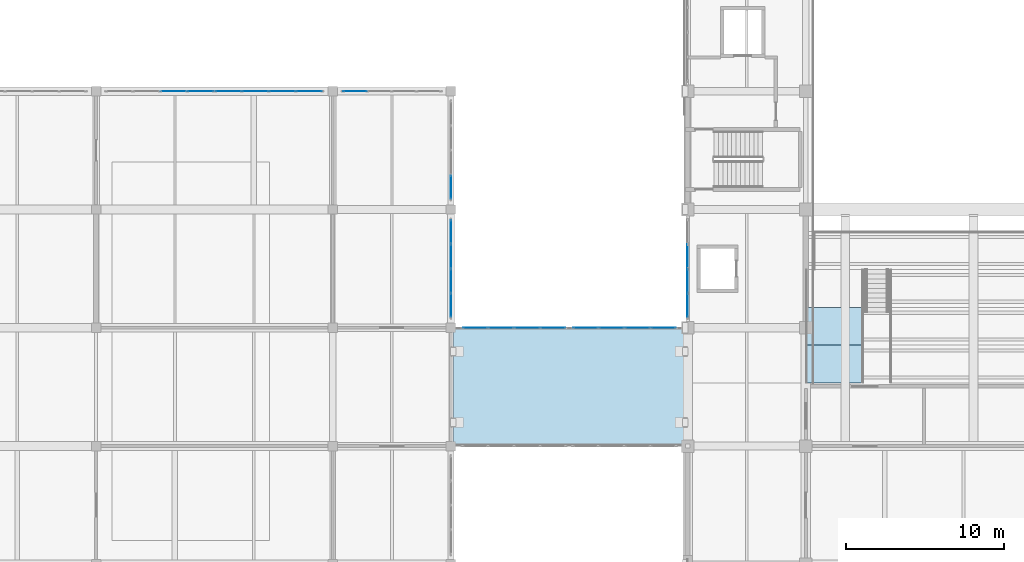
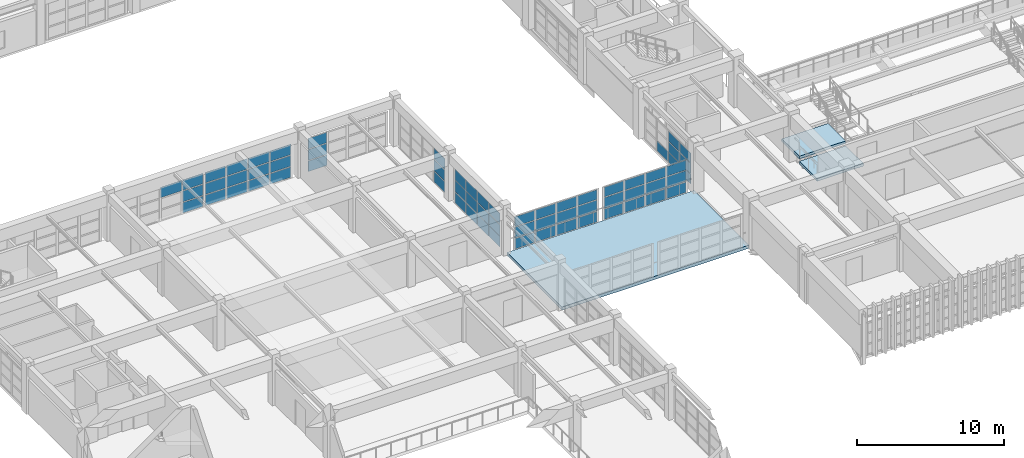
# One storey, part 79 of 124: 65 plates, 3 slabs, 8 elements without a shape of their own.
"""IFC4 building model written with IfcOpenShell, lengths in metres."""

from ifc_helpers import new_model, si_unit, direction, frame, origin, origin_2d, place, context, subcontext, project, spatial, polyline, rectangle, outline, extrude, material, layer, layer_set, type_object, element, aggregate, save


model = new_model("IFC4")

# Units and contexts
model_context = context("Model", 3, precision=1e-05, world=origin(), true_north=direction((0.0, 1.0)))
body_context = subcontext(model_context, "Body", "Model", "MODEL_VIEW")
ifc_project = project(units=[si_unit("LENGTHUNIT", "METRE"), si_unit("AREAUNIT", "SQUARE_METRE"), si_unit("VOLUMEUNIT", "CUBIC_METRE"), si_unit("PLANEANGLEUNIT", "RADIAN"), si_unit("MASSUNIT", "GRAM", prefix="KILO")], contexts=[model_context])

# Site, building, storey
site_placement = place(None, origin())
site = spatial("IfcSite", under=ifc_project, at=site_placement, CompositionType="ELEMENT")
building_placement = place(site_placement, origin())
building = spatial("IfcBuilding", under=site, at=building_placement, Name="Qasida Concert Hall", CompositionType="ELEMENT")
storey_placement = place(building_placement, frame((0.0, 0.0, 9.0)))
storey = spatial("IfcBuildingStorey", under=building, at=storey_placement, Name="L02", CompositionType="ELEMENT", Elevation=9.0)

# Curtain wall, plates
ifc_material_1 = material(Name="Architectural bronze-anodized aluminium and low-E glass", Category="aluminium")
curtain_wall_type_1 = type_object("IfcCurtainWallType", Name="CW-03", PredefinedType="NOTDEFINED", material=ifc_material_1)
curtain_wall_1_placement = place(storey_placement, origin())
curtain_wall_1 = element("IfcCurtainWall", 1, at=curtain_wall_1_placement, inside=storey, type_object=curtain_wall_type_1, Name="L02 curtain wall CW-03 0047", PredefinedType="NOTDEFINED")
ifc_material_2 = material(Name="Solar-control low-E double glazing", Category="glass")
ifc_layer_1 = layer(ifc_material_2, 0.031982421875, Name="Solar-control low-E double glazing")
ifc_layer_set_1 = layer_set([ifc_layer_1], Name="Solar-control low-E double glazing")
plate_type_1 = type_object("IfcPlateType", Name="PLT-CWP-2", PredefinedType="CURTAIN_PANEL", material=ifc_layer_set_1)
plate_1_placement = place(storey_placement, frame((52.5, 38.918701171875, 0.06005859375), z_axis=(0.0, 0.0, 1.0), x_axis=(0.0, 1.0, 0.0)))
plate_1 = element("IfcPlate", 2, at=plate_1_placement, type_object=plate_type_1, Name="CW-03 panel 1.1", PredefinedType="CURTAIN_PANEL", context=body_context, shape_type="SweptSolid", body=[
    extrude(rectangle(XDim=1.467529296875, YDim=0.031982421875, at=origin_2d()), origin(), (0.0, 0.0, 1.0), 0.806640625),
])
plate_2_placement = place(storey_placement, frame((52.5, 38.918701171875, 0.9267578125), z_axis=(0.0, 0.0, 1.0), x_axis=(0.0, 1.0, 0.0)))
plate_2 = element("IfcPlate", 3, at=plate_2_placement, type_object=plate_type_1, Name="CW-03 panel 1.2", PredefinedType="CURTAIN_PANEL", context=body_context, shape_type="SweptSolid", body=[
    extrude(rectangle(XDim=1.467529296875, YDim=0.031982421875, at=origin_2d()), origin(), (0.0, 0.0, 1.0), 0.836669921875),
])
plate_3_placement = place(storey_placement, frame((52.5, 38.918701171875, 1.8232421875), z_axis=(0.0, 0.0, 1.0), x_axis=(0.0, 1.0, 0.0)))
plate_3 = element("IfcPlate", 4, at=plate_3_placement, type_object=plate_type_1, Name="CW-03 panel 1.3", PredefinedType="CURTAIN_PANEL", context=body_context, shape_type="SweptSolid", body=[
    extrude(rectangle(XDim=1.467529296875, YDim=0.031982421875, at=origin_2d()), origin(), (0.0, 0.0, 1.0), 0.806640625),
])
plate_4_placement = place(storey_placement, frame((52.5, 40.467529296875, 0.06005859375), z_axis=(0.0, 0.0, 1.0), x_axis=(0.0, 1.0, 0.0)))
plate_4 = element("IfcPlate", 5, at=plate_4_placement, type_object=plate_type_1, Name="CW-03 panel 2.1", PredefinedType="CURTAIN_PANEL", context=body_context, shape_type="SweptSolid", body=[
    extrude(rectangle(XDim=1.5, YDim=0.031982421875, at=origin_2d()), origin(), (0.0, 0.0, 1.0), 0.806640625),
])
plate_5_placement = place(storey_placement, frame((52.5, 40.467529296875, 0.9267578125), z_axis=(0.0, 0.0, 1.0), x_axis=(0.0, 1.0, 0.0)))
plate_5 = element("IfcPlate", 6, at=plate_5_placement, type_object=plate_type_1, Name="CW-03 panel 2.2", PredefinedType="CURTAIN_PANEL", context=body_context, shape_type="SweptSolid", body=[
    extrude(rectangle(XDim=1.5, YDim=0.031982421875, at=origin_2d()), origin(), (0.0, 0.0, 1.0), 0.836669921875),
])
plate_6_placement = place(storey_placement, frame((52.5, 40.467529296875, 1.8232421875), z_axis=(0.0, 0.0, 1.0), x_axis=(0.0, 1.0, 0.0)))
plate_6 = element("IfcPlate", 7, at=plate_6_placement, type_object=plate_type_1, Name="CW-03 panel 2.3", PredefinedType="CURTAIN_PANEL", context=body_context, shape_type="SweptSolid", body=[
    extrude(rectangle(XDim=1.5, YDim=0.031982421875, at=origin_2d()), origin(), (0.0, 0.0, 1.0), 0.806640625),
])
plate_7_placement = place(storey_placement, frame((52.5, 42.032470703125, 0.06005859375), z_axis=(0.0, 0.0, 1.0), x_axis=(0.0, 1.0, 0.0)))
plate_7 = element("IfcPlate", 8, at=plate_7_placement, type_object=plate_type_1, Name="CW-03 panel 3.1", PredefinedType="CURTAIN_PANEL", context=body_context, shape_type="SweptSolid", body=[
    extrude(rectangle(XDim=1.5, YDim=0.031982421875, at=origin_2d()), origin(), (0.0, 0.0, 1.0), 0.806640625),
])
aggregate(curtain_wall_1, [plate_1, plate_2, plate_3, plate_4, plate_5, plate_6, plate_7])

curtain_wall_type_2 = type_object("IfcCurtainWallType", Name="CW-08", PredefinedType="NOTDEFINED", material=ifc_material_1)
curtain_wall_2_placement = place(storey_placement, origin())
curtain_wall_2 = element("IfcCurtainWall", 9, at=curtain_wall_2_placement, inside=storey, type_object=curtain_wall_type_2, Name="L02 curtain wall CW-08 0104", PredefinedType="NOTDEFINED")
ifc_layer_2 = layer(ifc_material_2, 0.02392578125, Name="Solar-control low-E double glazing")
ifc_layer_set_2 = layer_set([ifc_layer_2], Name="Solar-control low-E double glazing")
plate_type_2 = type_object("IfcPlateType", Name="PLT-CWP-5", PredefinedType="CURTAIN_PANEL", material=ifc_layer_set_2)
plate_8_placement = place(storey_placement, frame((19.913818359375, 52.5, 1.943359375), z_axis=(0.0, 0.0, 1.0), x_axis=(1.0, 0.0, 0.0)))
plate_8 = element("IfcPlate", 10, at=plate_8_placement, type_object=plate_type_2, Name="CW-08 panel 3.3", PredefinedType="CURTAIN_PANEL", context=body_context, shape_type="SweptSolid", body=[
    extrude(rectangle(XDim=1.652587890625, YDim=0.02392578125, at=origin_2d()), origin(), (0.0, 0.0, 1.0), 0.86669921875),
])
plate_9_placement = place(storey_placement, frame((21.614990234375, 52.5, 0.06005859375), z_axis=(0.0, 0.0, 1.0), x_axis=(1.0, 0.0, 0.0)))
plate_9 = element("IfcPlate", 11, at=plate_9_placement, type_object=plate_type_2, Name="CW-08 panel 4.1", PredefinedType="CURTAIN_PANEL", context=body_context, shape_type="SweptSolid", body=[
    extrude(rectangle(XDim=1.6201171875, YDim=0.02392578125, at=origin_2d()), origin(), (0.0, 0.0, 1.0), 0.86669921875),
])
plate_10_placement = place(storey_placement, frame((21.614990234375, 52.5, 0.98681640625), z_axis=(0.0, 0.0, 1.0), x_axis=(1.0, 0.0, 0.0)))
plate_10 = element("IfcPlate", 12, at=plate_10_placement, type_object=plate_type_2, Name="CW-08 panel 4.2", PredefinedType="CURTAIN_PANEL", context=body_context, shape_type="SweptSolid", body=[
    extrude(rectangle(XDim=1.6201171875, YDim=0.02392578125, at=origin_2d()), origin(), (0.0, 0.0, 1.0), 0.896484375),
])
plate_11_placement = place(storey_placement, frame((21.614990234375, 52.5, 1.943359375), z_axis=(0.0, 0.0, 1.0), x_axis=(1.0, 0.0, 0.0)))
plate_11 = element("IfcPlate", 13, at=plate_11_placement, type_object=plate_type_2, Name="CW-08 panel 4.3", PredefinedType="CURTAIN_PANEL", context=body_context, shape_type="SweptSolid", body=[
    extrude(rectangle(XDim=1.6201171875, YDim=0.02392578125, at=origin_2d()), origin(), (0.0, 0.0, 1.0), 0.86669921875),
])
aggregate(curtain_wall_2, [plate_8, plate_9, plate_10, plate_11])

curtain_wall_3_placement = place(storey_placement, origin())
curtain_wall_3 = element("IfcCurtainWall", 14, at=curtain_wall_3_placement, inside=storey, type_object=curtain_wall_type_2, Name="L02 curtain wall CW-08 0106", PredefinedType="NOTDEFINED")
plate_12_placement = place(storey_placement, frame((23.385009765625, 52.5, 0.06005859375), z_axis=(0.0, 0.0, 1.0), x_axis=(1.0, 0.0, 0.0)))
plate_12 = element("IfcPlate", 15, at=plate_12_placement, type_object=plate_type_2, Name="CW-08 panel 1.1", PredefinedType="CURTAIN_PANEL", context=body_context, shape_type="SweptSolid", body=[
    extrude(rectangle(XDim=1.6201171875, YDim=0.02392578125, at=origin_2d()), origin(), (0.0, 0.0, 1.0), 0.86669921875),
])
plate_13_placement = place(storey_placement, frame((23.385009765625, 52.5, 0.98681640625), z_axis=(0.0, 0.0, 1.0), x_axis=(1.0, 0.0, 0.0)))
plate_13 = element("IfcPlate", 16, at=plate_13_placement, type_object=plate_type_2, Name="CW-08 panel 1.2", PredefinedType="CURTAIN_PANEL", context=body_context, shape_type="SweptSolid", body=[
    extrude(rectangle(XDim=1.6201171875, YDim=0.02392578125, at=origin_2d()), origin(), (0.0, 0.0, 1.0), 0.896484375),
])
plate_14_placement = place(storey_placement, frame((23.385009765625, 52.5, 1.943359375), z_axis=(0.0, 0.0, 1.0), x_axis=(1.0, 0.0, 0.0)))
plate_14 = element("IfcPlate", 17, at=plate_14_placement, type_object=plate_type_2, Name="CW-08 panel 1.3", PredefinedType="CURTAIN_PANEL", context=body_context, shape_type="SweptSolid", body=[
    extrude(rectangle(XDim=1.6201171875, YDim=0.02392578125, at=origin_2d()), origin(), (0.0, 0.0, 1.0), 0.86669921875),
])
plate_15_placement = place(storey_placement, frame((25.086181640625, 52.5, 0.06005859375), z_axis=(0.0, 0.0, 1.0), x_axis=(1.0, 0.0, 0.0)))
plate_15 = element("IfcPlate", 18, at=plate_15_placement, type_object=plate_type_2, Name="CW-08 panel 2.1", PredefinedType="CURTAIN_PANEL", context=body_context, shape_type="SweptSolid", body=[
    extrude(rectangle(XDim=1.652587890625, YDim=0.02392578125, at=origin_2d()), origin(), (0.0, 0.0, 1.0), 0.86669921875),
])
plate_16_placement = place(storey_placement, frame((25.086181640625, 52.5, 0.98681640625), z_axis=(0.0, 0.0, 1.0), x_axis=(1.0, 0.0, 0.0)))
plate_16 = element("IfcPlate", 19, at=plate_16_placement, type_object=plate_type_2, Name="CW-08 panel 2.2", PredefinedType="CURTAIN_PANEL", context=body_context, shape_type="SweptSolid", body=[
    extrude(rectangle(XDim=1.652587890625, YDim=0.02392578125, at=origin_2d()), origin(), (0.0, 0.0, 1.0), 0.896484375),
])
plate_17_placement = place(storey_placement, frame((25.086181640625, 52.5, 1.943359375), z_axis=(0.0, 0.0, 1.0), x_axis=(1.0, 0.0, 0.0)))
plate_17 = element("IfcPlate", 20, at=plate_17_placement, type_object=plate_type_2, Name="CW-08 panel 2.3", PredefinedType="CURTAIN_PANEL", context=body_context, shape_type="SweptSolid", body=[
    extrude(rectangle(XDim=1.652587890625, YDim=0.02392578125, at=origin_2d()), origin(), (0.0, 0.0, 1.0), 0.86669921875),
])
plate_18_placement = place(storey_placement, frame((26.8037109375, 52.5, 0.06005859375), z_axis=(0.0, 0.0, 1.0), x_axis=(1.0, 0.0, 0.0)))
plate_18 = element("IfcPlate", 21, at=plate_18_placement, type_object=plate_type_2, Name="CW-08 panel 3.1", PredefinedType="CURTAIN_PANEL", context=body_context, shape_type="SweptSolid", body=[
    extrude(rectangle(XDim=1.652587890625, YDim=0.02392578125, at=origin_2d()), origin(), (0.0, 0.0, 1.0), 0.86669921875),
])
plate_19_placement = place(storey_placement, frame((26.8037109375, 52.5, 0.98681640625), z_axis=(0.0, 0.0, 1.0), x_axis=(1.0, 0.0, 0.0)))
plate_19 = element("IfcPlate", 22, at=plate_19_placement, type_object=plate_type_2, Name="CW-08 panel 3.2", PredefinedType="CURTAIN_PANEL", context=body_context, shape_type="SweptSolid", body=[
    extrude(rectangle(XDim=1.652587890625, YDim=0.02392578125, at=origin_2d()), origin(), (0.0, 0.0, 1.0), 0.896484375),
])
plate_20_placement = place(storey_placement, frame((26.8037109375, 52.5, 1.943359375), z_axis=(0.0, 0.0, 1.0), x_axis=(1.0, 0.0, 0.0)))
plate_20 = element("IfcPlate", 23, at=plate_20_placement, type_object=plate_type_2, Name="CW-08 panel 3.3", PredefinedType="CURTAIN_PANEL", context=body_context, shape_type="SweptSolid", body=[
    extrude(rectangle(XDim=1.652587890625, YDim=0.02392578125, at=origin_2d()), origin(), (0.0, 0.0, 1.0), 0.86669921875),
])
plate_21_placement = place(storey_placement, frame((28.5048828125, 52.5, 0.06005859375), z_axis=(0.0, 0.0, 1.0), x_axis=(1.0, 0.0, 0.0)))
plate_21 = element("IfcPlate", 24, at=plate_21_placement, type_object=plate_type_2, Name="CW-08 panel 4.1", PredefinedType="CURTAIN_PANEL", context=body_context, shape_type="SweptSolid", body=[
    extrude(rectangle(XDim=1.6201171875, YDim=0.02392578125, at=origin_2d()), origin(), (0.0, 0.0, 1.0), 0.86669921875),
])
plate_22_placement = place(storey_placement, frame((28.5048828125, 52.5, 0.98681640625), z_axis=(0.0, 0.0, 1.0), x_axis=(1.0, 0.0, 0.0)))
plate_22 = element("IfcPlate", 25, at=plate_22_placement, type_object=plate_type_2, Name="CW-08 panel 4.2", PredefinedType="CURTAIN_PANEL", context=body_context, shape_type="SweptSolid", body=[
    extrude(rectangle(XDim=1.6201171875, YDim=0.02392578125, at=origin_2d()), origin(), (0.0, 0.0, 1.0), 0.896484375),
])
plate_23_placement = place(storey_placement, frame((28.5048828125, 52.5, 1.943359375), z_axis=(0.0, 0.0, 1.0), x_axis=(1.0, 0.0, 0.0)))
plate_23 = element("IfcPlate", 26, at=plate_23_placement, type_object=plate_type_2, Name="CW-08 panel 4.3", PredefinedType="CURTAIN_PANEL", context=body_context, shape_type="SweptSolid", body=[
    extrude(rectangle(XDim=1.6201171875, YDim=0.02392578125, at=origin_2d()), origin(), (0.0, 0.0, 1.0), 0.86669921875),
])
aggregate(curtain_wall_3, [plate_12, plate_13, plate_14, plate_15, plate_16, plate_17, plate_18, plate_19, plate_20, plate_21, plate_22, plate_23])

curtain_wall_4_placement = place(storey_placement, origin())
curtain_wall_4 = element("IfcCurtainWall", 27, at=curtain_wall_4_placement, inside=storey, type_object=curtain_wall_type_2, Name="L02 curtain wall CW-08 0108", PredefinedType="NOTDEFINED")
plate_24_placement = place(storey_placement, frame((31.418701171875, 52.5, 0.06005859375), z_axis=(0.0, 0.0, 1.0), x_axis=(1.0, 0.0, 0.0)))
plate_24 = element("IfcPlate", 28, at=plate_24_placement, type_object=plate_type_2, Name="CW-08 panel 1.1", PredefinedType="CURTAIN_PANEL", context=body_context, shape_type="SweptSolid", body=[
    extrude(rectangle(XDim=1.467529296875, YDim=0.02392578125, at=origin_2d()), origin(), (0.0, 0.0, 1.0), 0.86669921875),
])
plate_25_placement = place(storey_placement, frame((31.418701171875, 52.5, 0.98681640625), z_axis=(0.0, 0.0, 1.0), x_axis=(1.0, 0.0, 0.0)))
plate_25 = element("IfcPlate", 29, at=plate_25_placement, type_object=plate_type_2, Name="CW-08 panel 1.2", PredefinedType="CURTAIN_PANEL", context=body_context, shape_type="SweptSolid", body=[
    extrude(rectangle(XDim=1.467529296875, YDim=0.02392578125, at=origin_2d()), origin(), (0.0, 0.0, 1.0), 0.896484375),
])
plate_26_placement = place(storey_placement, frame((31.418701171875, 52.5, 1.943359375), z_axis=(0.0, 0.0, 1.0), x_axis=(1.0, 0.0, 0.0)))
plate_26 = element("IfcPlate", 30, at=plate_26_placement, type_object=plate_type_2, Name="CW-08 panel 1.3", PredefinedType="CURTAIN_PANEL", context=body_context, shape_type="SweptSolid", body=[
    extrude(rectangle(XDim=1.467529296875, YDim=0.02392578125, at=origin_2d()), origin(), (0.0, 0.0, 1.0), 0.86669921875),
])
aggregate(curtain_wall_4, [plate_24, plate_25, plate_26])

curtain_wall_5_placement = place(storey_placement, origin())
curtain_wall_5 = element("IfcCurtainWall", 31, at=curtain_wall_5_placement, inside=storey, type_object=curtain_wall_type_2, Name="L02 curtain wall CW-08 0115", PredefinedType="NOTDEFINED")
plate_27_placement = place(storey_placement, frame((37.5, 38.918701171875, 0.06005859375), z_axis=(0.0, 0.0, 1.0), x_axis=(0.0, 1.0, 0.0)))
plate_27 = element("IfcPlate", 32, at=plate_27_placement, type_object=plate_type_2, Name="CW-08 panel 1.1", PredefinedType="CURTAIN_PANEL", context=body_context, shape_type="SweptSolid", body=[
    extrude(rectangle(XDim=1.467529296875, YDim=0.02392578125, at=origin_2d()), origin(), (0.0, 0.0, 1.0), 0.88330078125),
])
plate_28_placement = place(storey_placement, frame((37.5, 38.918701171875, 1.00341796875), z_axis=(0.0, 0.0, 1.0), x_axis=(0.0, 1.0, 0.0)))
plate_28 = element("IfcPlate", 33, at=plate_28_placement, type_object=plate_type_2, Name="CW-08 panel 1.2", PredefinedType="CURTAIN_PANEL", context=body_context, shape_type="SweptSolid", body=[
    extrude(rectangle(XDim=1.467529296875, YDim=0.02392578125, at=origin_2d()), origin(), (0.0, 0.0, 1.0), 0.913330078125),
])
plate_29_placement = place(storey_placement, frame((37.5, 38.918701171875, 1.976806640625), z_axis=(0.0, 0.0, 1.0), x_axis=(0.0, 1.0, 0.0)))
plate_29 = element("IfcPlate", 34, at=plate_29_placement, type_object=plate_type_2, Name="CW-08 panel 1.3", PredefinedType="CURTAIN_PANEL", context=body_context, shape_type="SweptSolid", body=[
    extrude(rectangle(XDim=1.467529296875, YDim=0.02392578125, at=origin_2d()), origin(), (0.0, 0.0, 1.0), 0.88330078125),
])
plate_30_placement = place(storey_placement, frame((37.5, 40.467529296875, 0.06005859375), z_axis=(0.0, 0.0, 1.0), x_axis=(0.0, 1.0, 0.0)))
plate_30 = element("IfcPlate", 35, at=plate_30_placement, type_object=plate_type_2, Name="CW-08 panel 2.1", PredefinedType="CURTAIN_PANEL", context=body_context, shape_type="SweptSolid", body=[
    extrude(rectangle(XDim=1.5, YDim=0.02392578125, at=origin_2d()), origin(), (0.0, 0.0, 1.0), 0.88330078125),
])
plate_31_placement = place(storey_placement, frame((37.5, 40.467529296875, 1.00341796875), z_axis=(0.0, 0.0, 1.0), x_axis=(0.0, 1.0, 0.0)))
plate_31 = element("IfcPlate", 36, at=plate_31_placement, type_object=plate_type_2, Name="CW-08 panel 2.2", PredefinedType="CURTAIN_PANEL", context=body_context, shape_type="SweptSolid", body=[
    extrude(rectangle(XDim=1.5, YDim=0.02392578125, at=origin_2d()), origin(), (0.0, 0.0, 1.0), 0.913330078125),
])
plate_32_placement = place(storey_placement, frame((37.5, 40.467529296875, 1.976806640625), z_axis=(0.0, 0.0, 1.0), x_axis=(0.0, 1.0, 0.0)))
plate_32 = element("IfcPlate", 37, at=plate_32_placement, type_object=plate_type_2, Name="CW-08 panel 2.3", PredefinedType="CURTAIN_PANEL", context=body_context, shape_type="SweptSolid", body=[
    extrude(rectangle(XDim=1.5, YDim=0.02392578125, at=origin_2d()), origin(), (0.0, 0.0, 1.0), 0.88330078125),
])
plate_33_placement = place(storey_placement, frame((37.5, 42.032470703125, 0.06005859375), z_axis=(0.0, 0.0, 1.0), x_axis=(0.0, 1.0, 0.0)))
plate_33 = element("IfcPlate", 38, at=plate_33_placement, type_object=plate_type_2, Name="CW-08 panel 3.1", PredefinedType="CURTAIN_PANEL", context=body_context, shape_type="SweptSolid", body=[
    extrude(rectangle(XDim=1.5, YDim=0.02392578125, at=origin_2d()), origin(), (0.0, 0.0, 1.0), 0.88330078125),
])
plate_34_placement = place(storey_placement, frame((37.5, 42.032470703125, 1.00341796875), z_axis=(0.0, 0.0, 1.0), x_axis=(0.0, 1.0, 0.0)))
plate_34 = element("IfcPlate", 39, at=plate_34_placement, type_object=plate_type_2, Name="CW-08 panel 3.2", PredefinedType="CURTAIN_PANEL", context=body_context, shape_type="SweptSolid", body=[
    extrude(rectangle(XDim=1.5, YDim=0.02392578125, at=origin_2d()), origin(), (0.0, 0.0, 1.0), 0.913330078125),
])
plate_35_placement = place(storey_placement, frame((37.5, 42.032470703125, 1.976806640625), z_axis=(0.0, 0.0, 1.0), x_axis=(0.0, 1.0, 0.0)))
plate_35 = element("IfcPlate", 40, at=plate_35_placement, type_object=plate_type_2, Name="CW-08 panel 3.3", PredefinedType="CURTAIN_PANEL", context=body_context, shape_type="SweptSolid", body=[
    extrude(rectangle(XDim=1.5, YDim=0.02392578125, at=origin_2d()), origin(), (0.0, 0.0, 1.0), 0.88330078125),
])
plate_36_placement = place(storey_placement, frame((37.5, 43.581298828125, 0.06005859375), z_axis=(0.0, 0.0, 1.0), x_axis=(0.0, 1.0, 0.0)))
plate_36 = element("IfcPlate", 41, at=plate_36_placement, type_object=plate_type_2, Name="CW-08 panel 4.1", PredefinedType="CURTAIN_PANEL", context=body_context, shape_type="SweptSolid", body=[
    extrude(rectangle(XDim=1.467529296875, YDim=0.02392578125, at=origin_2d()), origin(), (0.0, 0.0, 1.0), 0.88330078125),
])
plate_37_placement = place(storey_placement, frame((37.5, 43.581298828125, 1.00341796875), z_axis=(0.0, 0.0, 1.0), x_axis=(0.0, 1.0, 0.0)))
plate_37 = element("IfcPlate", 42, at=plate_37_placement, type_object=plate_type_2, Name="CW-08 panel 4.2", PredefinedType="CURTAIN_PANEL", context=body_context, shape_type="SweptSolid", body=[
    extrude(rectangle(XDim=1.467529296875, YDim=0.02392578125, at=origin_2d()), origin(), (0.0, 0.0, 1.0), 0.913330078125),
])
plate_38_placement = place(storey_placement, frame((37.5, 43.581298828125, 1.976806640625), z_axis=(0.0, 0.0, 1.0), x_axis=(0.0, 1.0, 0.0)))
plate_38 = element("IfcPlate", 43, at=plate_38_placement, type_object=plate_type_2, Name="CW-08 panel 4.3", PredefinedType="CURTAIN_PANEL", context=body_context, shape_type="SweptSolid", body=[
    extrude(rectangle(XDim=1.467529296875, YDim=0.02392578125, at=origin_2d()), origin(), (0.0, 0.0, 1.0), 0.88330078125),
])
aggregate(curtain_wall_5, [plate_27, plate_28, plate_29, plate_30, plate_31, plate_32, plate_33, plate_34, plate_35, plate_36, plate_37, plate_38])

curtain_wall_6_placement = place(storey_placement, origin())
curtain_wall_6 = element("IfcCurtainWall", 44, at=curtain_wall_6_placement, inside=storey, type_object=curtain_wall_type_2, Name="L02 curtain wall CW-08 0116", PredefinedType="NOTDEFINED")
plate_39_placement = place(storey_placement, frame((37.5, 46.418701171875, 0.06005859375), z_axis=(0.0, 0.0, 1.0), x_axis=(0.0, 1.0, 0.0)))
plate_39 = element("IfcPlate", 45, at=plate_39_placement, type_object=plate_type_2, Name="CW-08 panel 1.1", PredefinedType="CURTAIN_PANEL", context=body_context, shape_type="SweptSolid", body=[
    extrude(rectangle(XDim=1.467529296875, YDim=0.02392578125, at=origin_2d()), origin(), (0.0, 0.0, 1.0), 0.88330078125),
])
plate_40_placement = place(storey_placement, frame((37.5, 46.418701171875, 1.00341796875), z_axis=(0.0, 0.0, 1.0), x_axis=(0.0, 1.0, 0.0)))
plate_40 = element("IfcPlate", 46, at=plate_40_placement, type_object=plate_type_2, Name="CW-08 panel 1.2", PredefinedType="CURTAIN_PANEL", context=body_context, shape_type="SweptSolid", body=[
    extrude(rectangle(XDim=1.467529296875, YDim=0.02392578125, at=origin_2d()), origin(), (0.0, 0.0, 1.0), 0.913330078125),
])
plate_41_placement = place(storey_placement, frame((37.5, 46.418701171875, 1.976806640625), z_axis=(0.0, 0.0, 1.0), x_axis=(0.0, 1.0, 0.0)))
plate_41 = element("IfcPlate", 47, at=plate_41_placement, type_object=plate_type_2, Name="CW-08 panel 1.3", PredefinedType="CURTAIN_PANEL", context=body_context, shape_type="SweptSolid", body=[
    extrude(rectangle(XDim=1.467529296875, YDim=0.02392578125, at=origin_2d()), origin(), (0.0, 0.0, 1.0), 0.88330078125),
])
aggregate(curtain_wall_6, [plate_39, plate_40, plate_41])

curtain_wall_7_placement = place(storey_placement, origin())
curtain_wall_7 = element("IfcCurtainWall", 48, at=curtain_wall_7_placement, inside=storey, type_object=curtain_wall_type_2, Name="L02 link bridge glazing 0203", PredefinedType="NOTDEFINED")
plate_42_placement = place(storey_placement, frame((39.041259765625, 37.5, 0.06005859375), z_axis=(0.0, 0.0, 1.0), x_axis=(1.0, 0.0, 0.0)))
plate_42 = element("IfcPlate", 49, at=plate_42_placement, type_object=plate_type_2, Name="CW-08 panel 1.1", PredefinedType="CURTAIN_PANEL", context=body_context, shape_type="SweptSolid", body=[
    extrude(rectangle(XDim=1.552490234375, YDim=0.02392578125, at=origin_2d()), origin(), (0.0, 0.0, 1.0), 0.860107421875),
])
plate_43_placement = place(storey_placement, frame((39.041259765625, 37.5, 0.97998046875), z_axis=(0.0, 0.0, 1.0), x_axis=(1.0, 0.0, 0.0)))
plate_43 = element("IfcPlate", 50, at=plate_43_placement, type_object=plate_type_2, Name="CW-08 panel 1.2", PredefinedType="CURTAIN_PANEL", context=body_context, shape_type="SweptSolid", body=[
    extrude(rectangle(XDim=1.552490234375, YDim=0.02392578125, at=origin_2d()), origin(), (0.0, 0.0, 1.0), 0.889892578125),
])
plate_44_placement = place(storey_placement, frame((39.041259765625, 37.5, 1.929931640625), z_axis=(0.0, 0.0, 1.0), x_axis=(1.0, 0.0, 0.0)))
plate_44 = element("IfcPlate", 51, at=plate_44_placement, type_object=plate_type_2, Name="CW-08 panel 1.3", PredefinedType="CURTAIN_PANEL", context=body_context, shape_type="SweptSolid", body=[
    extrude(rectangle(XDim=1.552490234375, YDim=0.02392578125, at=origin_2d()), origin(), (0.0, 0.0, 1.0), 0.81005859375),
])
plate_45_placement = place(storey_placement, frame((40.675048828125, 37.5, 0.06005859375), z_axis=(0.0, 0.0, 1.0), x_axis=(1.0, 0.0, 0.0)))
plate_45 = element("IfcPlate", 52, at=plate_45_placement, type_object=plate_type_2, Name="CW-08 panel 2.1", PredefinedType="CURTAIN_PANEL", context=body_context, shape_type="SweptSolid", body=[
    extrude(rectangle(XDim=1.5849609375, YDim=0.02392578125, at=origin_2d()), origin(), (0.0, 0.0, 1.0), 0.860107421875),
])
plate_46_placement = place(storey_placement, frame((40.675048828125, 37.5, 0.97998046875), z_axis=(0.0, 0.0, 1.0), x_axis=(1.0, 0.0, 0.0)))
plate_46 = element("IfcPlate", 53, at=plate_46_placement, type_object=plate_type_2, Name="CW-08 panel 2.2", PredefinedType="CURTAIN_PANEL", context=body_context, shape_type="SweptSolid", body=[
    extrude(rectangle(XDim=1.5849609375, YDim=0.02392578125, at=origin_2d()), origin(), (0.0, 0.0, 1.0), 0.889892578125),
])
plate_47_placement = place(storey_placement, frame((40.675048828125, 37.5, 1.929931640625), z_axis=(0.0, 0.0, 1.0), x_axis=(1.0, 0.0, 0.0)))
plate_47 = element("IfcPlate", 54, at=plate_47_placement, type_object=plate_type_2, Name="CW-08 panel 2.3", PredefinedType="CURTAIN_PANEL", context=body_context, shape_type="SweptSolid", body=[
    extrude(rectangle(XDim=1.5849609375, YDim=0.02392578125, at=origin_2d()), origin(), (0.0, 0.0, 1.0), 0.81005859375),
])
plate_48_placement = place(storey_placement, frame((42.324951171875, 37.5, 0.06005859375), z_axis=(0.0, 0.0, 1.0), x_axis=(1.0, 0.0, 0.0)))
plate_48 = element("IfcPlate", 55, at=plate_48_placement, type_object=plate_type_2, Name="CW-08 panel 3.1", PredefinedType="CURTAIN_PANEL", context=body_context, shape_type="SweptSolid", body=[
    extrude(rectangle(XDim=1.5849609375, YDim=0.02392578125, at=origin_2d()), origin(), (0.0, 0.0, 1.0), 0.860107421875),
])
plate_49_placement = place(storey_placement, frame((42.324951171875, 37.5, 0.97998046875), z_axis=(0.0, 0.0, 1.0), x_axis=(1.0, 0.0, 0.0)))
plate_49 = element("IfcPlate", 56, at=plate_49_placement, type_object=plate_type_2, Name="CW-08 panel 3.2", PredefinedType="CURTAIN_PANEL", context=body_context, shape_type="SweptSolid", body=[
    extrude(rectangle(XDim=1.5849609375, YDim=0.02392578125, at=origin_2d()), origin(), (0.0, 0.0, 1.0), 0.889892578125),
])
plate_50_placement = place(storey_placement, frame((42.324951171875, 37.5, 1.929931640625), z_axis=(0.0, 0.0, 1.0), x_axis=(1.0, 0.0, 0.0)))
plate_50 = element("IfcPlate", 57, at=plate_50_placement, type_object=plate_type_2, Name="CW-08 panel 3.3", PredefinedType="CURTAIN_PANEL", context=body_context, shape_type="SweptSolid", body=[
    extrude(rectangle(XDim=1.5849609375, YDim=0.02392578125, at=origin_2d()), origin(), (0.0, 0.0, 1.0), 0.81005859375),
])
plate_51_placement = place(storey_placement, frame((43.958740234375, 37.5, 0.06005859375), z_axis=(0.0, 0.0, 1.0), x_axis=(1.0, 0.0, 0.0)))
plate_51 = element("IfcPlate", 58, at=plate_51_placement, type_object=plate_type_2, Name="CW-08 panel 4.1", PredefinedType="CURTAIN_PANEL", context=body_context, shape_type="SweptSolid", body=[
    extrude(rectangle(XDim=1.552490234375, YDim=0.02392578125, at=origin_2d()), origin(), (0.0, 0.0, 1.0), 0.860107421875),
])
plate_52_placement = place(storey_placement, frame((43.958740234375, 37.5, 0.97998046875), z_axis=(0.0, 0.0, 1.0), x_axis=(1.0, 0.0, 0.0)))
plate_52 = element("IfcPlate", 59, at=plate_52_placement, type_object=plate_type_2, Name="CW-08 panel 4.2", PredefinedType="CURTAIN_PANEL", context=body_context, shape_type="SweptSolid", body=[
    extrude(rectangle(XDim=1.552490234375, YDim=0.02392578125, at=origin_2d()), origin(), (0.0, 0.0, 1.0), 0.889892578125),
])
plate_53_placement = place(storey_placement, frame((43.958740234375, 37.5, 1.929931640625), z_axis=(0.0, 0.0, 1.0), x_axis=(1.0, 0.0, 0.0)))
plate_53 = element("IfcPlate", 60, at=plate_53_placement, type_object=plate_type_2, Name="CW-08 panel 4.3", PredefinedType="CURTAIN_PANEL", context=body_context, shape_type="SweptSolid", body=[
    extrude(rectangle(XDim=1.552490234375, YDim=0.02392578125, at=origin_2d()), origin(), (0.0, 0.0, 1.0), 0.81005859375),
])
aggregate(curtain_wall_7, [plate_42, plate_43, plate_44, plate_45, plate_46, plate_47, plate_48, plate_49, plate_50, plate_51, plate_52, plate_53])

curtain_wall_8_placement = place(storey_placement, origin())
curtain_wall_8 = element("IfcCurtainWall", 61, at=curtain_wall_8_placement, inside=storey, type_object=curtain_wall_type_2, Name="L02 link bridge glazing 0205", PredefinedType="NOTDEFINED")
plate_54_placement = place(storey_placement, frame((46.041259765625, 37.5, 0.06005859375), z_axis=(0.0, 0.0, 1.0), x_axis=(1.0, 0.0, 0.0)))
plate_54 = element("IfcPlate", 62, at=plate_54_placement, type_object=plate_type_2, Name="CW-08 panel 1.1", PredefinedType="CURTAIN_PANEL", context=body_context, shape_type="SweptSolid", body=[
    extrude(rectangle(XDim=1.552490234375, YDim=0.02392578125, at=origin_2d()), origin(), (0.0, 0.0, 1.0), 0.860107421875),
])
plate_55_placement = place(storey_placement, frame((46.041259765625, 37.5, 0.97998046875), z_axis=(0.0, 0.0, 1.0), x_axis=(1.0, 0.0, 0.0)))
plate_55 = element("IfcPlate", 63, at=plate_55_placement, type_object=plate_type_2, Name="CW-08 panel 1.2", PredefinedType="CURTAIN_PANEL", context=body_context, shape_type="SweptSolid", body=[
    extrude(rectangle(XDim=1.552490234375, YDim=0.02392578125, at=origin_2d()), origin(), (0.0, 0.0, 1.0), 0.889892578125),
])
plate_56_placement = place(storey_placement, frame((46.041259765625, 37.5, 1.929931640625), z_axis=(0.0, 0.0, 1.0), x_axis=(1.0, 0.0, 0.0)))
plate_56 = element("IfcPlate", 64, at=plate_56_placement, type_object=plate_type_2, Name="CW-08 panel 1.3", PredefinedType="CURTAIN_PANEL", context=body_context, shape_type="SweptSolid", body=[
    extrude(rectangle(XDim=1.552490234375, YDim=0.02392578125, at=origin_2d()), origin(), (0.0, 0.0, 1.0), 0.81005859375),
])
plate_57_placement = place(storey_placement, frame((47.675048828125, 37.5, 0.06005859375), z_axis=(0.0, 0.0, 1.0), x_axis=(1.0, 0.0, 0.0)))
plate_57 = element("IfcPlate", 65, at=plate_57_placement, type_object=plate_type_2, Name="CW-08 panel 2.1", PredefinedType="CURTAIN_PANEL", context=body_context, shape_type="SweptSolid", body=[
    extrude(rectangle(XDim=1.5849609375, YDim=0.02392578125, at=origin_2d()), origin(), (0.0, 0.0, 1.0), 0.860107421875),
])
plate_58_placement = place(storey_placement, frame((47.675048828125, 37.5, 0.97998046875), z_axis=(0.0, 0.0, 1.0), x_axis=(1.0, 0.0, 0.0)))
plate_58 = element("IfcPlate", 66, at=plate_58_placement, type_object=plate_type_2, Name="CW-08 panel 2.2", PredefinedType="CURTAIN_PANEL", context=body_context, shape_type="SweptSolid", body=[
    extrude(rectangle(XDim=1.5849609375, YDim=0.02392578125, at=origin_2d()), origin(), (0.0, 0.0, 1.0), 0.889892578125),
])
plate_59_placement = place(storey_placement, frame((47.675048828125, 37.5, 1.929931640625), z_axis=(0.0, 0.0, 1.0), x_axis=(1.0, 0.0, 0.0)))
plate_59 = element("IfcPlate", 67, at=plate_59_placement, type_object=plate_type_2, Name="CW-08 panel 2.3", PredefinedType="CURTAIN_PANEL", context=body_context, shape_type="SweptSolid", body=[
    extrude(rectangle(XDim=1.5849609375, YDim=0.02392578125, at=origin_2d()), origin(), (0.0, 0.0, 1.0), 0.81005859375),
])
plate_60_placement = place(storey_placement, frame((49.324951171875, 37.5, 0.06005859375), z_axis=(0.0, 0.0, 1.0), x_axis=(1.0, 0.0, 0.0)))
plate_60 = element("IfcPlate", 68, at=plate_60_placement, type_object=plate_type_2, Name="CW-08 panel 3.1", PredefinedType="CURTAIN_PANEL", context=body_context, shape_type="SweptSolid", body=[
    extrude(rectangle(XDim=1.5849609375, YDim=0.02392578125, at=origin_2d()), origin(), (0.0, 0.0, 1.0), 0.860107421875),
])
plate_61_placement = place(storey_placement, frame((49.324951171875, 37.5, 0.97998046875), z_axis=(0.0, 0.0, 1.0), x_axis=(1.0, 0.0, 0.0)))
plate_61 = element("IfcPlate", 69, at=plate_61_placement, type_object=plate_type_2, Name="CW-08 panel 3.2", PredefinedType="CURTAIN_PANEL", context=body_context, shape_type="SweptSolid", body=[
    extrude(rectangle(XDim=1.5849609375, YDim=0.02392578125, at=origin_2d()), origin(), (0.0, 0.0, 1.0), 0.889892578125),
])
plate_62_placement = place(storey_placement, frame((49.324951171875, 37.5, 1.929931640625), z_axis=(0.0, 0.0, 1.0), x_axis=(1.0, 0.0, 0.0)))
plate_62 = element("IfcPlate", 70, at=plate_62_placement, type_object=plate_type_2, Name="CW-08 panel 3.3", PredefinedType="CURTAIN_PANEL", context=body_context, shape_type="SweptSolid", body=[
    extrude(rectangle(XDim=1.5849609375, YDim=0.02392578125, at=origin_2d()), origin(), (0.0, 0.0, 1.0), 0.81005859375),
])
plate_63_placement = place(storey_placement, frame((50.958740234375, 37.5, 0.06005859375), z_axis=(0.0, 0.0, 1.0), x_axis=(1.0, 0.0, 0.0)))
plate_63 = element("IfcPlate", 71, at=plate_63_placement, type_object=plate_type_2, Name="CW-08 panel 4.1", PredefinedType="CURTAIN_PANEL", context=body_context, shape_type="SweptSolid", body=[
    extrude(rectangle(XDim=1.552490234375, YDim=0.02392578125, at=origin_2d()), origin(), (0.0, 0.0, 1.0), 0.860107421875),
])
plate_64_placement = place(storey_placement, frame((50.958740234375, 37.5, 0.97998046875), z_axis=(0.0, 0.0, 1.0), x_axis=(1.0, 0.0, 0.0)))
plate_64 = element("IfcPlate", 72, at=plate_64_placement, type_object=plate_type_2, Name="CW-08 panel 4.2", PredefinedType="CURTAIN_PANEL", context=body_context, shape_type="SweptSolid", body=[
    extrude(rectangle(XDim=1.552490234375, YDim=0.02392578125, at=origin_2d()), origin(), (0.0, 0.0, 1.0), 0.889892578125),
])
plate_65_placement = place(storey_placement, frame((50.958740234375, 37.5, 1.929931640625), z_axis=(0.0, 0.0, 1.0), x_axis=(1.0, 0.0, 0.0)))
plate_65 = element("IfcPlate", 73, at=plate_65_placement, type_object=plate_type_2, Name="CW-08 panel 4.3", PredefinedType="CURTAIN_PANEL", context=body_context, shape_type="SweptSolid", body=[
    extrude(rectangle(XDim=1.552490234375, YDim=0.02392578125, at=origin_2d()), origin(), (0.0, 0.0, 1.0), 0.81005859375),
])
aggregate(curtain_wall_8, [plate_54, plate_55, plate_56, plate_57, plate_58, plate_59, plate_60, plate_61, plate_62, plate_63, plate_64, plate_65])

# Slabs
ifc_material_3 = material(Name="Concrete C40/50", Category="concrete")
ifc_layer_3 = layer(ifc_material_3, 0.260009765625, Name="Concrete C40/50")
ifc_layer_set_3 = layer_set([ifc_layer_3], Name="Concrete C40/50")
slab_type_1 = type_object("IfcSlabType", Name="SL-FS-260", PredefinedType="FLOOR", material=ifc_layer_set_3)
slab_1_placement = place(storey_placement, frame((0.0, 0.0, -0.260009765625)))
element("IfcSlab", 74, at=slab_1_placement, inside=storey, type_object=slab_type_1, Name="Link V3-V1 bridge (FS-260)", PredefinedType="FLOOR", context=body_context, shape_type="SweptSolid", body=[
    extrude(outline(polyline([(37.64990234375, 30.0), (52.35009765625, 30.0), (52.35009765625, 37.5), (37.64990234375, 37.5), (37.64990234375, 30.0)])), origin(), (0.0, 0.0, 1.0), 0.260009765625),
])
ifc_layer_4 = layer(ifc_material_3, 0.219970703125, Name="Concrete C40/50")
ifc_layer_set_4 = layer_set([ifc_layer_4], Name="Concrete C40/50")
slab_type_2 = type_object("IfcSlabType", Name="SL-ST-TIER-220", PredefinedType="USERDEFINED", material=ifc_layer_set_4)
slab_2_placement = place(storey_placement, frame((0.0, 0.0, 0.1923828125)))
element("IfcSlab", 75, at=slab_2_placement, inside=storey, type_object=slab_type_2, Name="Stand symphony first balcony tier 1.1", ObjectType="SEATING TIER", PredefinedType="USERDEFINED", context=body_context, shape_type="SweptSolid", body=[
    extrude(outline(polyline([(60.0, 34.0), (63.64990234375, 34.0), (63.64990234375, 36.39990234375), (60.0, 36.39990234375), (60.0, 34.0)])), origin(), (0.0, 0.0, 1.0), 0.22021484375),
])
slab_3_placement = place(storey_placement, frame((0.0, 0.0, 0.60498046875)))
element("IfcSlab", 76, at=slab_3_placement, inside=storey, type_object=slab_type_2, Name="Stand symphony first balcony tier 2.1", ObjectType="SEATING TIER", PredefinedType="USERDEFINED", context=body_context, shape_type="SweptSolid", body=[
    extrude(outline(polyline([(60.0, 36.39990234375), (63.64990234375, 36.39990234375), (63.64990234375, 38.800048828125), (60.0, 38.800048828125), (60.0, 36.39990234375)])), origin(), (0.0, 0.0, 1.0), 0.219970703125),
])

save(model, "model.ifc")
